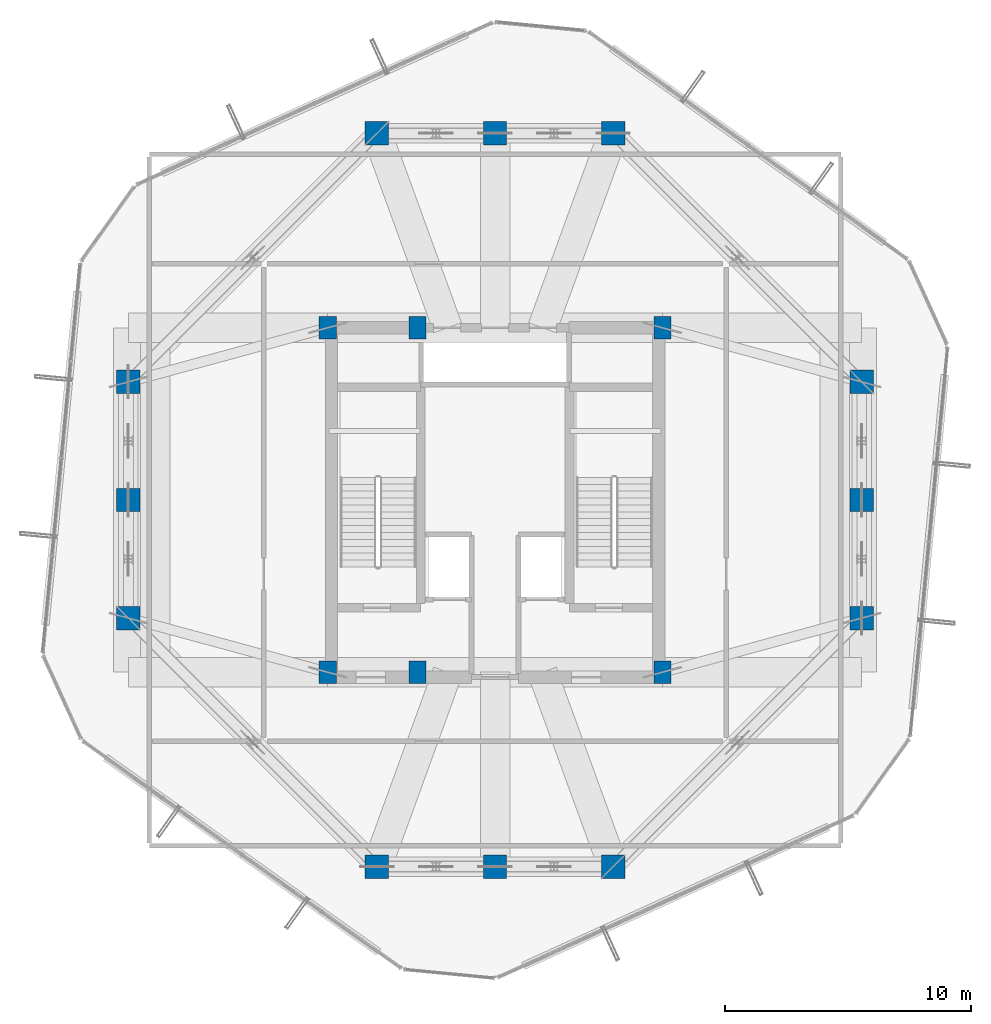
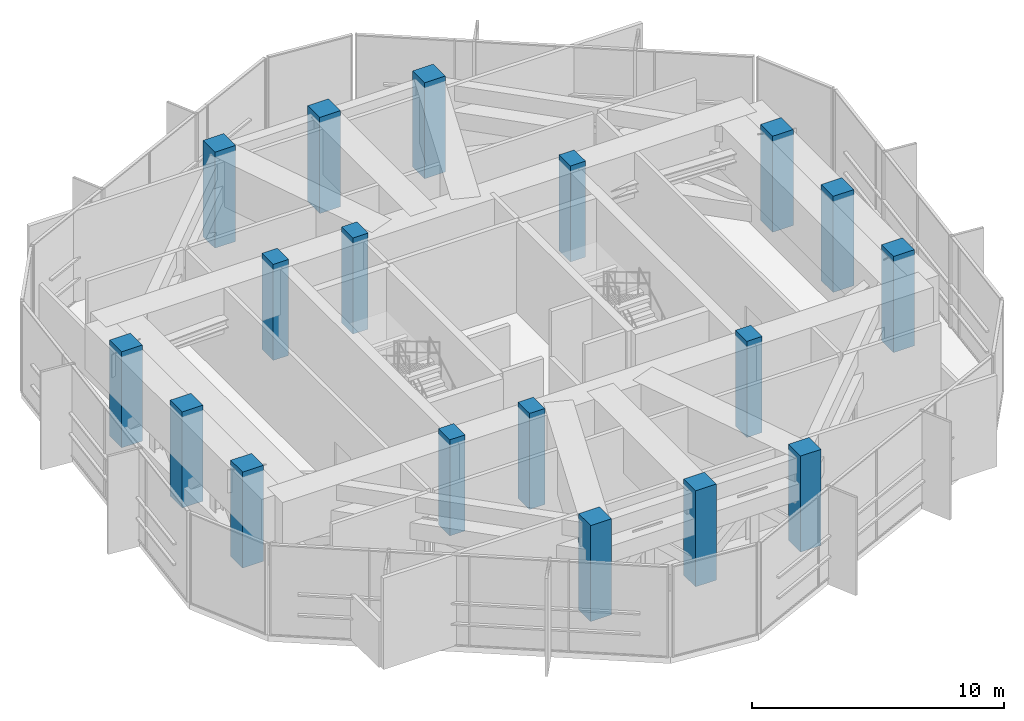
# One storey, part 1 of 31: 18 columns.
"""IFC4 building model written with IfcOpenShell, lengths in metres."""

from ifc_helpers import new_model, si_unit, direction, frame, origin, origin_2d, place, context, subcontext, project, spatial, rectangle, extrude, material, material_profile, profile_set, type_object, element, save


model = new_model("IFC4")

# Units and contexts
model_context = context("Model", 3, precision=1e-05, world=origin(), true_north=direction((0.0, 1.0)))
body_context = subcontext(model_context, "Body", "Model", "MODEL_VIEW")
ifc_project = project(units=[si_unit("LENGTHUNIT", "METRE"), si_unit("AREAUNIT", "SQUARE_METRE"), si_unit("VOLUMEUNIT", "CUBIC_METRE"), si_unit("PLANEANGLEUNIT", "RADIAN"), si_unit("MASSUNIT", "GRAM", prefix="KILO")], contexts=[model_context])

# Site, building, storey
site_placement = place(None, origin())
site = spatial("IfcSite", under=ifc_project, at=site_placement, CompositionType="ELEMENT")
building_placement = place(site_placement, origin())
building = spatial("IfcBuilding", under=site, at=building_placement, Name="Veraguas Prism Commons", CompositionType="ELEMENT")
storey_placement = place(building_placement, frame((0.0, 0.0, 225.39990234375)))
storey = spatial("IfcBuildingStorey", under=building, at=storey_placement, Name="L64", CompositionType="ELEMENT", Elevation=225.39990234375)

# Columns
ifc_material = material(Name="Concrete C50/60", Category="concrete")
ifc_material_profile_1 = material_profile(ifc_material, rectangle(XDim=0.949951171875, YDim=0.949951171875, at=origin_2d()), Name="RC950X950")
ifc_profile_set_1 = profile_set([ifc_material_profile_1], Name="Concrete C50/60")
column_type_1 = type_object("IfcColumnType", Name="Column Tube Z3 RC 950x950", PredefinedType="COLUMN", material=ifc_profile_set_1)
for number, where, z_axis, x_axis, name in (
    (1, (38.89990234375, 19.199951171875, 0.0), (0.0, 0.0, 1.0), (1.0, 0.0, 0.0), "Tower Perimeter Column L64-TB01"),
    (2, (38.89990234375, 24.0, 0.0), (0.0, 0.0, 1.0), (1.0, 0.0, 0.0), "Tower Perimeter Column L64-TB02"),
    (3, (38.89990234375, 28.800048828125, 0.0), (0.0, 0.0, 1.0), (1.0, 0.0, 0.0), "Tower Perimeter Column L64-TB03"),
    (4, (28.800048828125, 38.89990234375, 0.0), (0.0, 0.0, 1.0), (1.0, 0.0, 0.0), "Tower Perimeter Column L64-TB04"),
    (5, (24.0, 38.89990234375, 0.0), (0.0, 0.0, 1.0), (1.0, 0.0, 0.0), "Tower Perimeter Column L64-TB05"),
    (6, (19.199951171875, 38.89990234375, 0.0), (0.0, 0.0, 1.0), (1.0, 0.0, 0.0), "Tower Perimeter Column L64-TB06"),
    (7, (9.10009765625, 28.800048828125, 0.0), (0.0, 0.0, 1.0), (1.0, 0.0, 0.0), "Tower Perimeter Column L64-TB07"),
    (8, (9.10009765625, 24.0, 0.0), (0.0, 0.0, 1.0), (1.0, 0.0, 0.0), "Tower Perimeter Column L64-TB08"),
    (9, (9.10009765625, 19.199951171875, 0.0), (0.0, 0.0, 1.0), (1.0, 0.0, 0.0), "Tower Perimeter Column L64-TB09"),
    (10, (19.199951171875, 9.10009765625, 0.0), (0.0, 0.0, 1.0), (1.0, 0.0, 0.0), "Tower Perimeter Column L64-TB10"),
    (11, (24.0, 9.10009765625, 0.0), (0.0, 0.0, 1.0), (1.0, 0.0, 0.0), "Tower Perimeter Column L64-TB11"),
    (12, (28.800048828125, 9.10009765625, 0.0), (0.0, 0.0, 1.0), (1.0, 0.0, 0.0), "Tower Perimeter Column L64-TB12"),
):
    element("IfcColumn", number, at=place(storey_placement, frame(where, z_axis=z_axis, x_axis=x_axis)), inside=storey, type_object=column_type_1, Name=name, PredefinedType="COLUMN", context=body_context, shape_type="SweptSolid", body=[
        extrude(rectangle(XDim=0.949951171875, YDim=0.949951171875, at=origin_2d()), origin(), (0.0, 0.0, 1.0), 4.650146484375),
    ])
ifc_material_profile_2 = material_profile(ifc_material, rectangle(XDim=0.699951171875, YDim=0.89990234375, at=origin_2d()), Name="RC700X900")
ifc_profile_set_2 = profile_set([ifc_material_profile_2], Name="Concrete C50/60")
column_type_2 = type_object("IfcColumnType", Name="Pilaster Core Upper RC 700x900", PredefinedType="PILASTER", material=ifc_profile_set_2)
for number, where, z_axis, x_axis, name in (
    (13, (17.199951171875, 17.0, 0.0), (0.0, 0.0, 1.0), (1.0, 0.0, 0.0), "Core Pilaster Column L64-CR1"),
    (14, (20.85009765625, 17.0, 0.0), (0.0, 0.0, 1.0), (1.0, 0.0, 0.0), "Core Pilaster Column L64-CR2"),
    (15, (30.800048828125, 17.0, 0.0), (0.0, 0.0, 1.0), (1.0, 0.0, 0.0), "Core Pilaster Column L64-CR3"),
    (16, (17.199951171875, 31.0, 0.0), (0.0, 0.0, 1.0), (1.0, 0.0, 0.0), "Core Pilaster Column L64-CR4"),
    (17, (20.85009765625, 31.0, 0.0), (0.0, 0.0, 1.0), (1.0, 0.0, 0.0), "Core Pilaster Column L64-CR5"),
    (18, (30.800048828125, 31.0, 0.0), (0.0, 0.0, 1.0), (1.0, 0.0, 0.0), "Core Pilaster Column L64-CR6"),
):
    element("IfcColumn", number, at=place(storey_placement, frame(where, z_axis=z_axis, x_axis=x_axis)), inside=storey, type_object=column_type_2, Name=name, PredefinedType="PILASTER", context=body_context, shape_type="SweptSolid", body=[
        extrude(rectangle(XDim=0.699951171875, YDim=0.89990234375, at=origin_2d()), origin(), (0.0, 0.0, 1.0), 4.650146484375),
    ])

save(model, "model.ifc")
